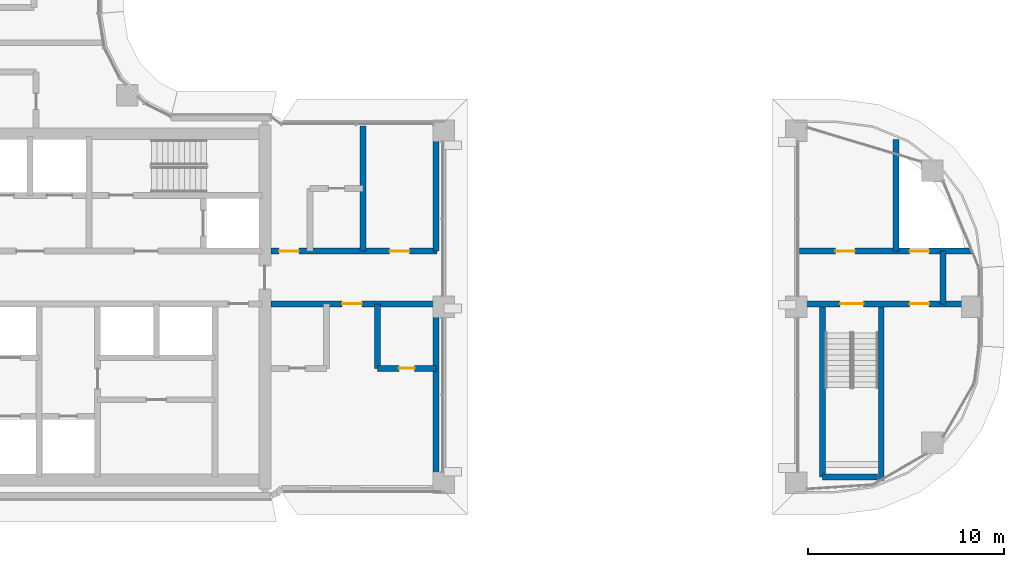
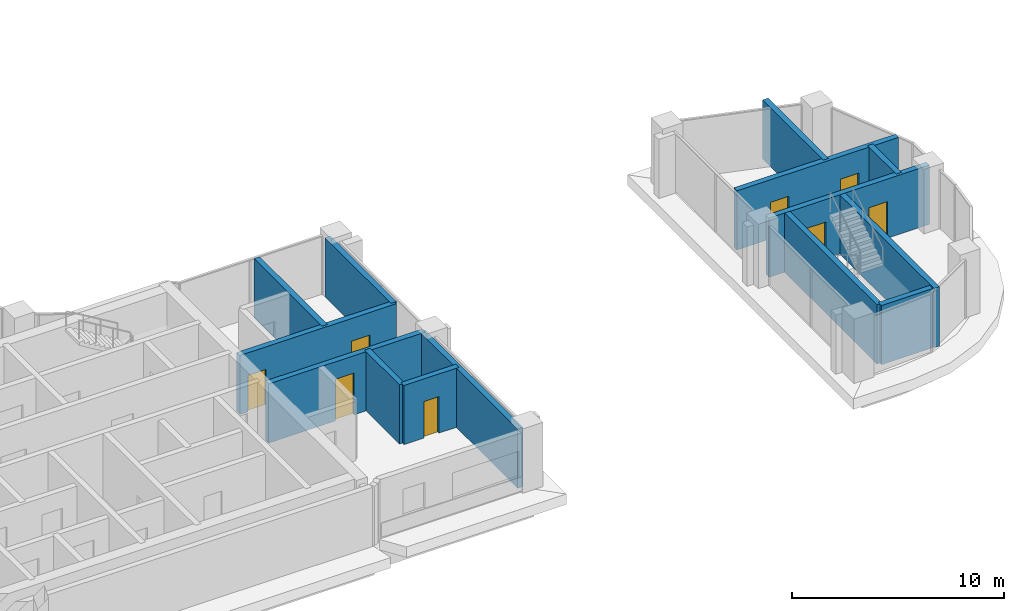
# One storey, part 12 of 24: 14 walls, 8 doors, 8 openings.
"""IFC4 building model written with IfcOpenShell, lengths in metres."""

import ifcopenshell
import ifcopenshell.guid

model = None  # the IFC model being written
_history = None  # IfcOwnerHistory: only IFC2X3 demands one
_inside = {}  # id of a spatial element -> (the spatial element, [elements in it])
_under = {}  # id of a project, library or spatial element -> (it, [spatial elements below it])
_declared = {}  # id of a project -> (the project, [libraries it declares])
_typed = {}  # id of a type object -> (the type object, [elements of that type])
_made_of = {}  # id of a material, layer set ... -> (it, [elements and type objects made of it])


def new_model(schema):
    """Start an empty IFC model of exactly this schema.

    Asked for "IFC4X3", IfcOpenShell would pick the latest addendum, in which some entities
    have other attributes; the version numbers below select the first issue.
    IFC2X3 requires an IfcOwnerHistory on every rooted entity: one is made here for all.
    """
    global model, _history
    if schema == "IFC4X3":
        model = ifcopenshell.file(schema_version=(4, 3, 0, 0))
    else:
        model = ifcopenshell.file(schema=schema)
    _inside.clear()
    _under.clear()
    _declared.clear()
    _typed.clear()
    _made_of.clear()
    _history = None
    if model.schema == "IFC2X3":
        org = make("IfcOrganization", Name="unknown")
        user = make(
            "IfcPersonAndOrganization",
            ThePerson=make("IfcPerson", FamilyName="unknown"),
            TheOrganization=org,
        )
        app = make(
            "IfcApplication",
            ApplicationDeveloper=org,
            Version="unknown",
            ApplicationFullName="unknown",
            ApplicationIdentifier="unknown",
        )
        _history = make(
            "IfcOwnerHistory",
            OwningUser=user,
            OwningApplication=app,
            ChangeAction="ADDED",
            CreationDate=0,
        )
    return model


def make(cls, **values):
    """One entity of the class cls with the attributes given. An attribute that is None is left unset."""
    return model.create_entity(
        cls, **{name: value for name, value in values.items() if value is not None}
    )


def rooted(cls, **values):
    """An entity with a GlobalId (a new one), such as an element, a storey or a relation."""
    return make(cls, GlobalId=ifcopenshell.guid.new(), OwnerHistory=_history, **values)


def si_unit(unit_type, name, prefix=None):
    """IfcSIUnit, for example si_unit("LENGTHUNIT", "METRE", prefix="MILLI")."""
    return make("IfcSIUnit", UnitType=unit_type, Prefix=prefix, Name=name)


def assignment(units):
    """IfcUnitAssignment: the units of a project."""
    return None if units is None else make("IfcUnitAssignment", Units=units)


def point(xyz):
    """IfcCartesianPoint."""
    return None if xyz is None else make("IfcCartesianPoint", Coordinates=xyz)


def direction(xyz):
    """IfcDirection."""
    return None if xyz is None else make("IfcDirection", DirectionRatios=xyz)


def frame(location, z_axis=None, x_axis=None):
    """IfcAxis2Placement3D, a coordinate frame: its origin and axes. An axis left out is left unset."""
    return make(
        "IfcAxis2Placement3D",
        Location=point(location),
        Axis=direction(z_axis),
        RefDirection=direction(x_axis),
    )


def frame_2d(location, x_axis=None):
    """IfcAxis2Placement2D, a coordinate frame in the plane: its origin and x axis."""
    return make(
        "IfcAxis2Placement2D", Location=point(location), RefDirection=direction(x_axis)
    )


def origin():
    """The frame at (0, 0, 0) with its axes left unset."""
    return frame((0.0, 0.0, 0.0))


def place(relative_to, where):
    """IfcLocalPlacement: puts the frame where relative to a parent placement (None: the world)."""
    return make(
        "IfcLocalPlacement", PlacementRelTo=relative_to, RelativePlacement=where
    )


def context(
    kind, dimensions, precision=None, world=None, true_north=None, identifier=None
):
    """IfcGeometricRepresentationContext, for example the 3D "Model" context."""
    return make(
        "IfcGeometricRepresentationContext",
        ContextIdentifier=identifier,
        ContextType=kind,
        CoordinateSpaceDimension=dimensions,
        Precision=precision,
        WorldCoordinateSystem=world,
        TrueNorth=true_north,
    )


def subcontext(parent, identifier, kind, view, scale=None):
    """IfcGeometricRepresentationSubContext, for example "Body" below "Model"."""
    return make(
        "IfcGeometricRepresentationSubContext",
        ContextIdentifier=identifier,
        ContextType=kind,
        ParentContext=parent,
        TargetScale=scale,
        TargetView=view,
    )


def project(units=None, contexts=None):
    """IfcProject with its units and contexts."""
    return rooted(
        "IfcProject",
        Name="project",
        RepresentationContexts=contexts,
        UnitsInContext=assignment(units),
    )


def spatial(cls, under=None, at=None, **own):
    """A site, building, storey or space (cls), placed at a placement, below another one or the project."""
    s = rooted(cls, ObjectPlacement=at, **own)
    if under is not None:
        _under.setdefault(under.id(), (under, []))[1].append(s)
    return s


def profile(cls, at=None, kind="AREA", **sizes):
    """A parametric profile (cls). Its sizes go by their IFC names, for example OverallWidth=200.0."""
    return make(cls, ProfileType=kind, Position=at, **sizes)


def rectangle(**sizes):
    """IfcRectangleProfileDef."""
    return profile("IfcRectangleProfileDef", **sizes)


def extrude(swept, where, along, depth):
    """IfcExtrudedAreaSolid: the profile swept, set in the frame where, extruded along a direction by depth."""
    return make(
        "IfcExtrudedAreaSolid",
        SweptArea=swept,
        Position=where,
        ExtrudedDirection=direction(along),
        Depth=depth,
    )


def shape(context_of_items, identifier, shape_type, items):
    """IfcShapeRepresentation: the items that make up one representation, for example the "Body"."""
    return make(
        "IfcShapeRepresentation",
        ContextOfItems=context_of_items,
        RepresentationIdentifier=identifier,
        RepresentationType=shape_type,
        Items=items,
    )


def material(Name=None, Category=None):
    """IfcMaterial."""
    return make("IfcMaterial", Name=Name, Category=Category)


def layer(
    of_material, thickness, ventilated=None, Name=None, Category=None, Priority=None
):
    """IfcMaterialLayer: one layer of a wall or slab, of a material (None: an air gap)."""
    return make(
        "IfcMaterialLayer",
        Material=of_material,
        LayerThickness=thickness,
        IsVentilated=ventilated,
        Name=Name,
        Category=Category,
        Priority=Priority,
    )


def layer_set(layers, Name=None):
    """IfcMaterialLayerSet."""
    return make("IfcMaterialLayerSet", MaterialLayers=layers, LayerSetName=Name)


def made_of(thing, what):
    """Note that an element or type object is made of a material, layer set ...; save() writes the relation."""
    if what is not None:
        _made_of.setdefault(what.id(), (what, []))[1].append(thing)
    return thing


def type_object(cls, material=None, **own):
    """A type object (cls), such as IfcWallType, which elements share."""
    return made_of(rooted(cls, **own), material)


def element(
    cls,
    number,
    at=None,
    inside=None,
    cuts=None,
    type_object=None,
    material=None,
    context=None,
    identifier="Body",
    shape_type=None,
    held_by="IfcProductDefinitionShape",
    body=None,
    shapes=None,
    **own,
):
    """One element of the class cls, such as IfcWall. Its Tag is "e" and its number.

    at: its placement. inside: the storey or other place that contains it. cuts: it is an
    opening in that element (IfcRelVoidsElement). A single representation is given by context,
    identifier, shape_type and body (its items); several are given by shapes. held_by: the class
    of the entity that holds the representations. save() writes the other relations.
    """
    e = rooted(cls, Tag="e%d" % number, ObjectPlacement=at, **own)
    if body is not None:
        shapes = [shape(context, identifier, shape_type, body)]
    if shapes is not None:
        e.Representation = make(held_by, Representations=shapes)
    if inside is not None:
        _inside.setdefault(inside.id(), (inside, []))[1].append(e)
    if cuts is not None:
        rooted(
            "IfcRelVoidsElement", RelatingBuildingElement=cuts, RelatedOpeningElement=e
        )
    if type_object is not None:
        _typed.setdefault(type_object.id(), (type_object, []))[1].append(e)
    return made_of(e, material)


def fill(opening, filler):
    """IfcRelFillsElement: the door or window that sits in an opening."""
    return rooted(
        "IfcRelFillsElement",
        RelatingOpeningElement=opening,
        RelatedBuildingElement=filler,
    )


def aggregate(whole, parts):
    """IfcRelAggregates: a whole, such as a stair, and the parts it consists of."""
    return rooted("IfcRelAggregates", RelatingObject=whole, RelatedObjects=parts)


def save(model, path):
    """Write the relations noted so far, then the file.

    IfcRelAggregates (storeys below a building ...), IfcRelContainedInSpatialStructure (elements
    in a storey), IfcRelDefinesByType, IfcRelAssociatesMaterial and IfcRelDeclares: one each for
    every whole, place, type object, material and project.
    """
    for whole, parts in _under.values():
        aggregate(whole, parts)
    for where, things in _inside.values():
        rooted(
            "IfcRelContainedInSpatialStructure",
            RelatedElements=things,
            RelatingStructure=where,
        )
    for kind, things in _typed.values():
        rooted("IfcRelDefinesByType", RelatedObjects=things, RelatingType=kind)
    for what, things in _made_of.values():
        rooted("IfcRelAssociatesMaterial", RelatedObjects=things, RelatingMaterial=what)
    for by, libraries in _declared.values():
        rooted("IfcRelDeclares", RelatingContext=by, RelatedDefinitions=libraries)
    model.write(path)


model = new_model("IFC4")

# Units and contexts
model_context = context("Model", 3, precision=1e-05, world=origin(), true_north=direction((0.0, 1.0)))
body_context = subcontext(model_context, "Body", "Model", "MODEL_VIEW")
ifc_project = project(units=[si_unit("LENGTHUNIT", "METRE"), si_unit("AREAUNIT", "SQUARE_METRE"), si_unit("VOLUMEUNIT", "CUBIC_METRE"), si_unit("PLANEANGLEUNIT", "RADIAN"), si_unit("MASSUNIT", "GRAM", prefix="KILO")], contexts=[model_context])

# Site, building, storey
site_placement = place(None, origin())
site = spatial("IfcSite", under=ifc_project, at=site_placement, CompositionType="ELEMENT")
building_placement = place(site_placement, origin())
building = spatial("IfcBuilding", under=site, at=building_placement, Name="Ogive Portal Towers", CompositionType="ELEMENT")
storey_placement = place(building_placement, frame((0.0, 0.0, 153.300048828125)))
storey = spatial("IfcBuildingStorey", under=building, at=storey_placement, Name="L37", CompositionType="ELEMENT", Elevation=153.300048828125)

# Wall
ifc_material_1 = material(Name="Concrete C50/60", Category="concrete")
ifc_layer_1 = layer(ifc_material_1, 0.300048828125)
ifc_layer_set_1 = layer_set([ifc_layer_1], Name="STAIR WALL 300 C50")
wall_type_1 = type_object("IfcWallType", Name="STAIR WALL 300 C50", PredefinedType="SHEAR", material=ifc_layer_set_1)
wall_1_placement = place(storey_placement, frame((86.85009765625, 21.800048828125, 0.0), z_axis=(0.0, 0.0, 1.0), x_axis=(1.0, 0.0, 0.0)))
element("IfcWall", 1, at=wall_1_placement, inside=storey, type_object=wall_type_1, Name="Stair wall ST-A4 L37", PredefinedType="SHEAR", context=body_context, shape_type="SweptSolid", body=[
    extrude(rectangle(XDim=2.796875, YDim=0.300048828125, at=frame_2d((1.3984375, 0.0))), origin(), (0.0, 0.0, 1.0), 3.39990234375),
])

# Wall, openings, doors
wall_2_placement = place(storey_placement, frame((85.85009765625, 30.64990234375, 0.0), z_axis=(0.0, 0.0, 1.0), x_axis=(1.0, 0.0, 0.0)))
wall_2 = element("IfcWall", 2, at=wall_2_placement, inside=storey, type_object=wall_type_1, Name="Stair wall ST-A4 L37", PredefinedType="SHEAR", context=body_context, shape_type="SweptSolid", body=[
    extrude(rectangle(XDim=8.724853515625, YDim=0.300048828125, at=frame_2d((4.3623046875, 0.0))), origin(), (0.0, 0.0, 1.0), 3.39990234375),
])
opening_1_placement = place(wall_2_placement, frame((1.89990234375, 0.0, 0.0)))
opening_1 = element("IfcOpeningElement", 3, at=opening_1_placement, cuts=wall_2, Name="Opening D15-049", PredefinedType="OPENING", context=body_context, shape_type="SweptSolid", body=[
    extrude(rectangle(XDim=1.199951171875, YDim=2.10009765625, at=frame_2d((0.60009765625, 1.050048828125))), frame((0.0, 0.16015625, 0.0), z_axis=(0.0, -1.0, 0.0), x_axis=(1.0, 0.0, 0.0)), (0.0, 0.0, 1.0), 0.320068359375),
])
opening_2_placement = place(wall_2_placement, frame((5.449951171875, 0.0, 0.0)))
opening_2 = element("IfcOpeningElement", 4, at=opening_2_placement, cuts=wall_2, Name="Opening D15-052", PredefinedType="OPENING", context=body_context, shape_type="SweptSolid", body=[
    extrude(rectangle(XDim=1.0, YDim=2.10009765625, at=frame_2d((0.5, 1.050048828125))), frame((0.0, 0.16015625, 0.0), z_axis=(0.0, -1.0, 0.0), x_axis=(1.0, 0.0, 0.0)), (0.0, 0.0, 1.0), 0.320068359375),
])
ifc_material_2 = material(Name="Steel fire door", Category="steel")
door_type_1 = type_object("IfcDoorType", Name="DT-SERVICE-1000x2100-FD90S", OperationType="SINGLE_SWING_LEFT", PredefinedType="DOOR", material=ifc_material_2)
door_1_placement = place(opening_2_placement, origin())
door_1 = element("IfcDoor", 5, at=door_1_placement, inside=storey, type_object=door_type_1, Name="Door D15-052", OperationType="SINGLE_SWING_LEFT", OverallHeight=2.10009765625, OverallWidth=1.0, PredefinedType="DOOR", context=body_context, shape_type="SweptSolid", body=[
    extrude(rectangle(XDim=1.0, YDim=2.10009765625, at=frame_2d((0.5, 1.050048828125))), frame((0.0, 0.02490234375, 0.0), z_axis=(0.0, -1.0, 0.0), x_axis=(1.0, 0.0, 0.0)), (0.0, 0.0, 1.0), 0.050048828125),
])
fill(opening_2, door_1)
door_type_2 = type_object("IfcDoorType", Name="DT-STAIR-1200x2100-FD90S", OperationType="SINGLE_SWING_LEFT", PredefinedType="DOOR", material=ifc_material_2)
door_2_placement = place(opening_1_placement, origin())
door_2 = element("IfcDoor", 6, at=door_2_placement, inside=storey, type_object=door_type_2, Name="Door D15-049", OperationType="SINGLE_SWING_LEFT", OverallHeight=2.10009765625, OverallWidth=1.199951171875, PredefinedType="DOOR", context=body_context, shape_type="SweptSolid", body=[
    extrude(rectangle(XDim=1.199951171875, YDim=2.10009765625, at=frame_2d((0.60009765625, 1.050048828125))), frame((0.0, 0.02490234375, 0.0), z_axis=(0.0, -1.0, 0.0), x_axis=(1.0, 0.0, 0.0)), (0.0, 0.0, 1.0), 0.050048828125),
])
fill(opening_1, door_2)

# Walls
wall_3_placement = place(storey_placement, frame((86.85009765625, 21.800048828125, 0.0), z_axis=(0.0, 0.0, 1.0), x_axis=(0.0, 1.0, 0.0)))
element("IfcWall", 7, at=wall_3_placement, inside=storey, type_object=wall_type_1, Name="Stair wall ST-A4 L37", PredefinedType="SHEAR", context=body_context, shape_type="SweptSolid", body=[
    extrude(rectangle(XDim=8.849853515625, YDim=0.300048828125, at=frame_2d((4.4248046875, 0.0))), origin(), (0.0, 0.0, 1.0), 3.39990234375),
])
wall_4_placement = place(storey_placement, frame((89.85009765625, 21.6240234375, 0.0), z_axis=(0.0, 0.0, 1.0), x_axis=(0.0, 1.0, 0.0)))
element("IfcWall", 8, at=wall_4_placement, inside=storey, type_object=wall_type_1, Name="Stair wall ST-A4 L37", PredefinedType="SHEAR", context=body_context, shape_type="SweptSolid", body=[
    extrude(rectangle(XDim=9.02587890625, YDim=0.300048828125, at=frame_2d((4.512939453125, 0.0))), origin(), (0.0, 0.0, 1.0), 3.39990234375),
])

# Wall, opening, door
ifc_material_3 = material(Name="Gypsum board partition on steel studs", Category="steel")
ifc_layer_2 = layer(ifc_material_3, 0.300048828125)
ifc_layer_set_2 = layer_set([ifc_layer_2], Name="WT-PART-300-EI 120")
wall_type_2 = type_object("IfcWallType", Name="WT-PART-300-EI 120", PredefinedType="PARTITIONING", material=ifc_layer_set_2)
wall_5_placement = place(storey_placement, frame((58.64990234375, 30.64990234375, 0.0), z_axis=(0.0, 0.0, 1.0), x_axis=(1.0, 0.0, 0.0)))
wall_5 = element("IfcWall", 9, at=wall_5_placement, inside=storey, type_object=wall_type_2, Name="Wall L37:w004", PredefinedType="PARTITIONING", context=body_context, shape_type="SweptSolid", body=[
    extrude(rectangle(XDim=8.5, YDim=0.300048828125, at=frame_2d((4.25, 0.0))), origin(), (0.0, 0.0, 1.0), 3.39990234375),
])
opening_3_placement = place(wall_5_placement, frame((3.64990234375, 0.0, 0.0)))
opening_3 = element("IfcOpeningElement", 10, at=opening_3_placement, cuts=wall_5, Name="Opening D15-030", PredefinedType="OPENING", context=body_context, shape_type="SweptSolid", body=[
    extrude(rectangle(XDim=1.0, YDim=2.39990234375, at=frame_2d((0.5, 1.199951171875))), frame((0.0, 0.16015625, 0.0), z_axis=(0.0, -1.0, 0.0), x_axis=(1.0, 0.0, 0.0)), (0.0, 0.0, 1.0), 0.320068359375),
])
door_type_3 = type_object("IfcDoorType", Name="DT-ENTRY-1000x2400-FD90S", OperationType="SINGLE_SWING_LEFT", PredefinedType="DOOR", material=ifc_material_2)
door_3_placement = place(opening_3_placement, origin())
door_3 = element("IfcDoor", 11, at=door_3_placement, inside=storey, type_object=door_type_3, Name="Door D15-030", OperationType="SINGLE_SWING_LEFT", OverallHeight=2.39990234375, OverallWidth=1.0, PredefinedType="DOOR", context=body_context, shape_type="SweptSolid", body=[
    extrude(rectangle(XDim=1.0, YDim=2.39990234375, at=frame_2d((0.5, 1.199951171875))), frame((0.0, 0.02490234375, 0.0), z_axis=(0.0, -1.0, 0.0), x_axis=(1.0, 0.0, 0.0)), (0.0, 0.0, 1.0), 0.050048828125),
])
fill(opening_3, door_3)

# Wall, openings, doors
wall_6_placement = place(storey_placement, frame((58.64990234375, 33.35009765625, 0.0), z_axis=(0.0, 0.0, 1.0), x_axis=(1.0, 0.0, 0.0)))
wall_6 = element("IfcWall", 12, at=wall_6_placement, inside=storey, type_object=wall_type_2, Name="Wall L37:w006", PredefinedType="PARTITIONING", context=body_context, shape_type="SweptSolid", body=[
    extrude(rectangle(XDim=8.5, YDim=0.300048828125, at=frame_2d((4.25, 0.0))), origin(), (0.0, 0.0, 1.0), 3.39990234375),
])
opening_4_placement = place(wall_6_placement, frame((0.427978515625, 0.0, 0.0)))
opening_4 = element("IfcOpeningElement", 13, at=opening_4_placement, cuts=wall_6, Name="Opening D15-026", PredefinedType="OPENING", context=body_context, shape_type="SweptSolid", body=[
    extrude(rectangle(XDim=1.0, YDim=2.10009765625, at=frame_2d((0.5, 1.050048828125))), frame((0.0, 0.16015625, 0.0), z_axis=(0.0, -1.0, 0.0), x_axis=(1.0, 0.0, 0.0)), (0.0, 0.0, 1.0), 0.320068359375),
])
opening_5_placement = place(wall_6_placement, frame((6.077880859375, 0.0, 0.0)))
opening_5 = element("IfcOpeningElement", 14, at=opening_5_placement, cuts=wall_6, Name="Opening D15-027", PredefinedType="OPENING", context=body_context, shape_type="SweptSolid", body=[
    extrude(rectangle(XDim=1.0, YDim=2.10009765625, at=frame_2d((0.5, 1.050048828125))), frame((0.0, 0.16015625, 0.0), z_axis=(0.0, -1.0, 0.0), x_axis=(1.0, 0.0, 0.0)), (0.0, 0.0, 1.0), 0.320068359375),
])
door_type_4 = type_object("IfcDoorType", Name="DT-ENTRY-1000x2100-FD90S", OperationType="SINGLE_SWING_LEFT", PredefinedType="DOOR", material=ifc_material_2)
door_4_placement = place(opening_4_placement, origin())
door_4 = element("IfcDoor", 15, at=door_4_placement, inside=storey, type_object=door_type_4, Name="Door D15-026", OperationType="SINGLE_SWING_LEFT", OverallHeight=2.10009765625, OverallWidth=1.0, PredefinedType="DOOR", context=body_context, shape_type="SweptSolid", body=[
    extrude(rectangle(XDim=1.0, YDim=2.10009765625, at=frame_2d((0.5, 1.050048828125))), frame((0.0, 0.02490234375, 0.0), z_axis=(0.0, -1.0, 0.0), x_axis=(1.0, 0.0, 0.0)), (0.0, 0.0, 1.0), 0.050048828125),
])
fill(opening_4, door_4)
door_5_placement = place(opening_5_placement, origin())
door_5 = element("IfcDoor", 16, at=door_5_placement, inside=storey, type_object=door_type_4, Name="Door D15-027", OperationType="SINGLE_SWING_RIGHT", OverallHeight=2.10009765625, OverallWidth=1.0, PredefinedType="DOOR", context=body_context, shape_type="SweptSolid", body=[
    extrude(rectangle(XDim=1.0, YDim=2.10009765625, at=frame_2d((0.5, 1.050048828125))), frame((0.0, 0.02490234375, 0.0), z_axis=(0.0, -1.0, 0.0), x_axis=(1.0, 0.0, 0.0)), (0.0, 0.0, 1.0), 0.050048828125),
])
fill(opening_5, door_5)

wall_7_placement = place(storey_placement, frame((85.669921875, 33.35009765625, 0.0), z_axis=(0.0, 0.0, 1.0), x_axis=(1.0, 0.0, 0.0)))
wall_7 = element("IfcWall", 17, at=wall_7_placement, inside=storey, type_object=wall_type_2, Name="Wall L37:w007", PredefinedType="PARTITIONING", context=body_context, shape_type="SweptSolid", body=[
    extrude(rectangle(XDim=8.7900390625, YDim=0.300048828125, at=frame_2d((4.39501953125, 0.0))), origin(), (0.0, 0.0, 1.0), 3.39990234375),
])
opening_6_placement = place(wall_7_placement, frame((1.830078125, 0.0, 0.0)))
opening_6 = element("IfcOpeningElement", 18, at=opening_6_placement, cuts=wall_7, Name="Opening D15-050", PredefinedType="OPENING", context=body_context, shape_type="SweptSolid", body=[
    extrude(rectangle(XDim=1.0, YDim=2.10009765625, at=frame_2d((0.5, 1.050048828125))), frame((0.0, 0.16015625, 0.0), z_axis=(0.0, -1.0, 0.0), x_axis=(1.0, 0.0, 0.0)), (0.0, 0.0, 1.0), 0.320068359375),
])
opening_7_placement = place(wall_7_placement, frame((5.6298828125, 0.0, 0.0)))
opening_7 = element("IfcOpeningElement", 19, at=opening_7_placement, cuts=wall_7, Name="Opening D15-051", PredefinedType="OPENING", context=body_context, shape_type="SweptSolid", body=[
    extrude(rectangle(XDim=1.0, YDim=2.10009765625, at=frame_2d((0.5, 1.050048828125))), frame((0.0, 0.16015625, 0.0), z_axis=(0.0, -1.0, 0.0), x_axis=(1.0, 0.0, 0.0)), (0.0, 0.0, 1.0), 0.320068359375),
])
door_6_placement = place(opening_6_placement, origin())
door_6 = element("IfcDoor", 20, at=door_6_placement, inside=storey, type_object=door_type_1, Name="Door D15-050", OperationType="SINGLE_SWING_LEFT", OverallHeight=2.10009765625, OverallWidth=1.0, PredefinedType="DOOR", context=body_context, shape_type="SweptSolid", body=[
    extrude(rectangle(XDim=1.0, YDim=2.10009765625, at=frame_2d((0.5, 1.050048828125))), frame((0.0, 0.02490234375, 0.0), z_axis=(0.0, -1.0, 0.0), x_axis=(1.0, 0.0, 0.0)), (0.0, 0.0, 1.0), 0.050048828125),
])
fill(opening_6, door_6)
door_7_placement = place(opening_7_placement, origin())
door_7 = element("IfcDoor", 21, at=door_7_placement, inside=storey, type_object=door_type_1, Name="Riser access door D15-051", OperationType="SINGLE_SWING_RIGHT", OverallHeight=2.10009765625, OverallWidth=1.0, PredefinedType="DOOR", context=body_context, shape_type="SweptSolid", body=[
    extrude(rectangle(XDim=1.0, YDim=2.10009765625, at=frame_2d((0.5, 1.050048828125))), frame((0.0, 0.02490234375, 0.0), z_axis=(0.0, -1.0, 0.0), x_axis=(1.0, 0.0, 0.0)), (0.0, 0.0, 1.0), 0.050048828125),
])
fill(opening_7, door_7)

# Wall
wall_8_placement = place(storey_placement, frame((93.0, 30.64990234375, 0.0), z_axis=(0.0, 0.0, 1.0), x_axis=(0.0, 1.0, 0.0)))
element("IfcWall", 22, at=wall_8_placement, inside=storey, type_object=wall_type_2, Name="Wall L37:w047", PredefinedType="PARTITIONING", context=body_context, shape_type="SweptSolid", body=[
    extrude(rectangle(XDim=2.7001953125, YDim=0.300048828125, at=frame_2d((1.35009765625, 0.0))), origin(), (0.0, 0.0, 1.0), 3.39990234375),
])

# Wall, opening, door
ifc_layer_3 = layer(ifc_material_3, 0.300048828125)
ifc_layer_set_3 = layer_set([ifc_layer_3], Name="WT-PART-300-EI 60")
wall_type_3 = type_object("IfcWallType", Name="WT-PART-300-EI 60", PredefinedType="PARTITIONING", material=ifc_layer_set_3)
wall_9_placement = place(storey_placement, frame((64.10009765625, 27.35009765625, 0.0), z_axis=(0.0, 0.0, 1.0), x_axis=(1.0, 0.0, 0.0)))
wall_9 = element("IfcWall", 23, at=wall_9_placement, inside=storey, type_object=wall_type_3, Name="Wall L37:w003", PredefinedType="PARTITIONING", context=body_context, shape_type="SweptSolid", body=[
    extrude(rectangle(XDim=3.0, YDim=0.300048828125, at=frame_2d((1.5, 0.0))), origin(), (0.0, 0.0, 1.0), 3.39990234375),
])
opening_8_placement = place(wall_9_placement, frame((1.10009765625, 0.0, 0.0)))
opening_8 = element("IfcOpeningElement", 24, at=opening_8_placement, cuts=wall_9, Name="Opening D15-029", PredefinedType="OPENING", context=body_context, shape_type="SweptSolid", body=[
    extrude(rectangle(XDim=0.800048828125, YDim=2.10009765625, at=frame_2d((0.39990234375, 1.050048828125))), frame((0.0, 0.16015625, 0.0), z_axis=(0.0, -1.0, 0.0), x_axis=(1.0, 0.0, 0.0)), (0.0, 0.0, 1.0), 0.320068359375),
])
door_type_5 = type_object("IfcDoorType", Name="DT-BATH-800x2100-FD60S", OperationType="SINGLE_SWING_LEFT", PredefinedType="DOOR", material=ifc_material_2)
door_8_placement = place(opening_8_placement, origin())
door_8 = element("IfcDoor", 25, at=door_8_placement, inside=storey, type_object=door_type_5, Name="Door D15-029", OperationType="SINGLE_SWING_RIGHT", OverallHeight=2.10009765625, OverallWidth=0.800048828125, PredefinedType="DOOR", context=body_context, shape_type="SweptSolid", body=[
    extrude(rectangle(XDim=0.800048828125, YDim=2.10009765625, at=frame_2d((0.39990234375, 1.050048828125))), frame((0.0, 0.02490234375, 0.0), z_axis=(0.0, -1.0, 0.0), x_axis=(1.0, 0.0, 0.0)), (0.0, 0.0, 1.0), 0.050048828125),
])
fill(opening_8, door_8)

# Walls
wall_10_placement = place(storey_placement, frame((63.35595703125, 33.35009765625, 0.0), z_axis=(0.0, 0.0, 1.0), x_axis=(0.0, 1.0, 0.0)))
element("IfcWall", 26, at=wall_10_placement, inside=storey, type_object=wall_type_3, Name="Wall L37:w040", PredefinedType="PARTITIONING", context=body_context, shape_type="SweptSolid", body=[
    extrude(rectangle(XDim=6.40478515625, YDim=0.300048828125, at=frame_2d((3.202392578125, 0.0))), origin(), (0.0, 0.0, 1.0), 3.39990234375),
])
wall_11_placement = place(storey_placement, frame((64.10009765625, 27.35009765625, 0.0), z_axis=(0.0, 0.0, 1.0), x_axis=(0.0, 1.0, 0.0)))
element("IfcWall", 27, at=wall_11_placement, inside=storey, type_object=wall_type_3, Name="Wall L37:w041", PredefinedType="PARTITIONING", context=body_context, shape_type="SweptSolid", body=[
    extrude(rectangle(XDim=3.2998046875, YDim=0.300048828125, at=frame_2d((1.64990234375, 0.0))), origin(), (0.0, 0.0, 1.0), 3.39990234375),
])
wall_12_placement = place(storey_placement, frame((67.10009765625, 21.425048828125, 0.0), z_axis=(0.0, 0.0, 1.0), x_axis=(0.0, 1.0, 0.0)))
element("IfcWall", 28, at=wall_12_placement, inside=storey, type_object=wall_type_3, Name="Wall L37:w042", PredefinedType="PARTITIONING", context=body_context, shape_type="SweptSolid", body=[
    extrude(rectangle(XDim=9.224853515625, YDim=0.300048828125, at=frame_2d((4.6123046875, 0.0))), origin(), (0.0, 0.0, 1.0), 3.39990234375),
])
wall_13_placement = place(storey_placement, frame((67.10009765625, 33.35009765625, 0.0), z_axis=(0.0, 0.0, 1.0), x_axis=(0.0, 1.0, 0.0)))
element("IfcWall", 29, at=wall_13_placement, inside=storey, type_object=wall_type_3, Name="Wall L37:w043", PredefinedType="PARTITIONING", context=body_context, shape_type="SweptSolid", body=[
    extrude(rectangle(XDim=6.224853515625, YDim=0.300048828125, at=frame_2d((3.1123046875, 0.0))), origin(), (0.0, 0.0, 1.0), 3.39990234375),
])
wall_14_placement = place(storey_placement, frame((90.60009765625, 33.35009765625, 0.0), z_axis=(0.0, 0.0, 1.0), x_axis=(0.0, 1.0, 0.0)))
element("IfcWall", 30, at=wall_14_placement, inside=storey, type_object=wall_type_3, Name="Wall L37:w046", PredefinedType="PARTITIONING", context=body_context, shape_type="SweptSolid", body=[
    extrude(rectangle(XDim=5.7158203125, YDim=0.300048828125, at=frame_2d((2.85791015625, 0.0))), origin(), (0.0, 0.0, 1.0), 3.39990234375),
])

save(model, "model.ifc")
